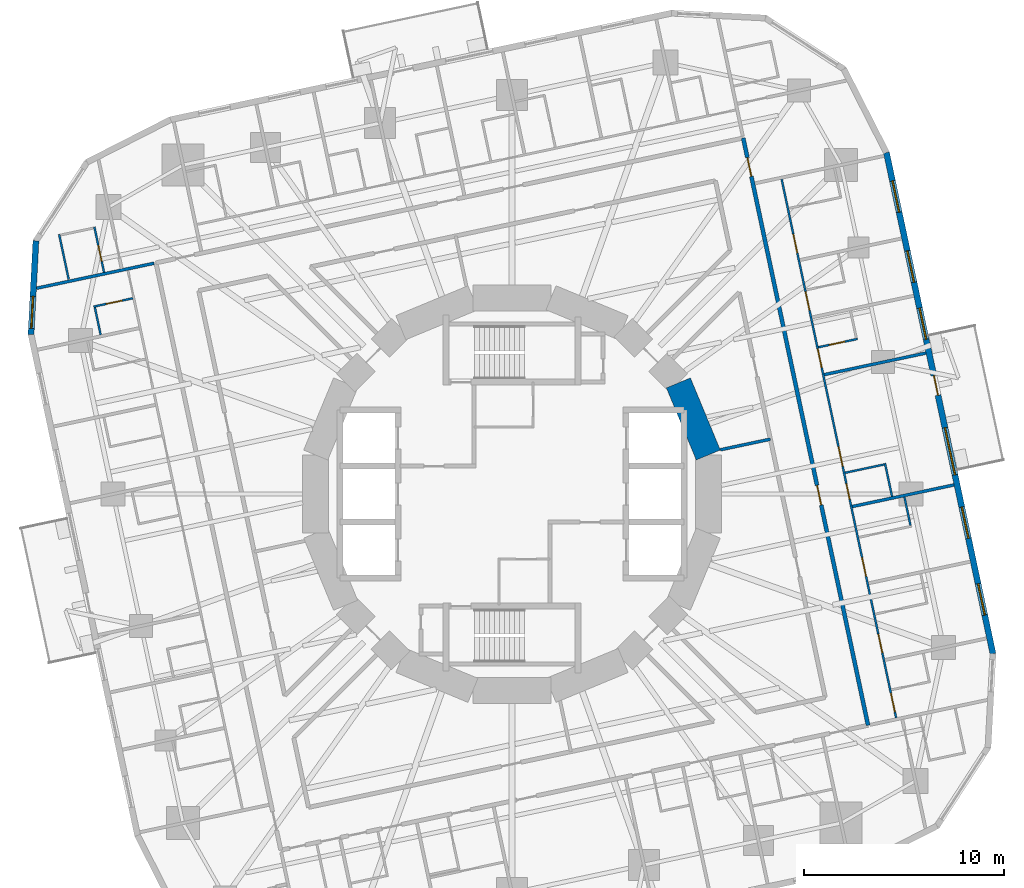
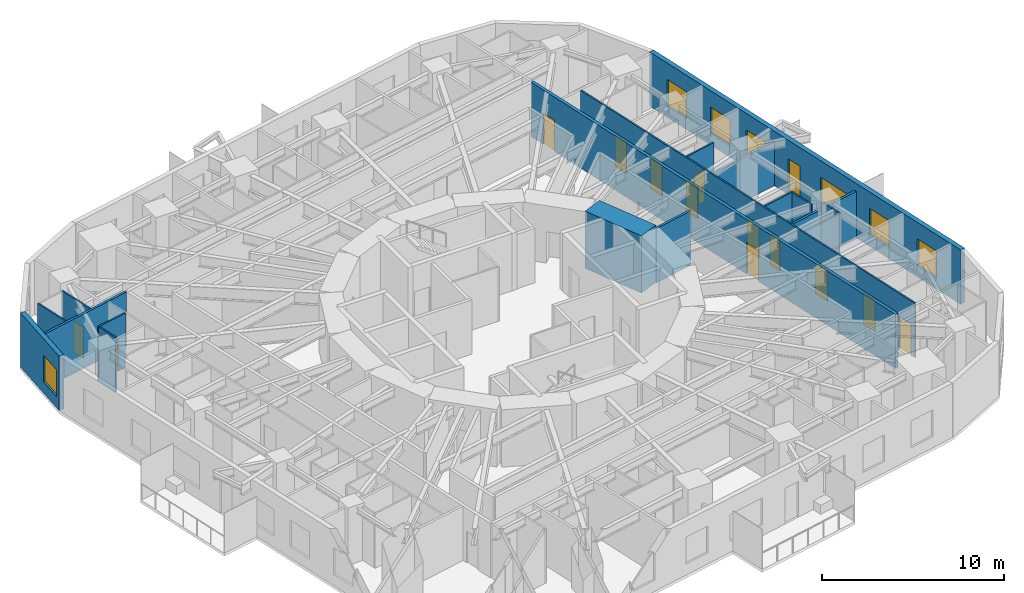
# One storey, part 9 of 14: 17 walls, 14 doors, 7 windows, 21 openings.
"""IFC4 building model written with IfcOpenShell, lengths in metres."""

from ifc_helpers import new_model, si_unit, direction, frame, frame_2d, origin, place, context, subcontext, project, spatial, rectangle, extrude, material, layer, layer_set, type_object, element, fill, save


model = new_model("IFC4")

# Units and contexts
model_context = context("Model", 3, precision=1e-05, world=origin(), true_north=direction((0.0, 1.0)))
body_context = subcontext(model_context, "Body", "Model", "MODEL_VIEW")
ifc_project = project(units=[si_unit("LENGTHUNIT", "METRE"), si_unit("AREAUNIT", "SQUARE_METRE"), si_unit("VOLUMEUNIT", "CUBIC_METRE"), si_unit("PLANEANGLEUNIT", "RADIAN"), si_unit("MASSUNIT", "GRAM", prefix="KILO")], contexts=[model_context])

# Site, building, storey
site_placement = place(None, origin())
site = spatial("IfcSite", under=ifc_project, at=site_placement, CompositionType="ELEMENT")
building_placement = place(site_placement, origin())
building = spatial("IfcBuilding", under=site, at=building_placement, Name="Nakasero Lantern House", CompositionType="ELEMENT")
storey_placement = place(building_placement, frame((0.0, 0.0, 108.85009765625)))
storey = spatial("IfcBuildingStorey", under=building, at=storey_placement, Name="L26", CompositionType="ELEMENT", Elevation=108.85009765625)

# Wall, openings, doors
ifc_material_1 = material(Name="Blockwork", Category="masonry")
ifc_layer_1 = layer(ifc_material_1, 0.10009765625)
ifc_layer_set_1 = layer_set([ifc_layer_1], Name="Cluster hall wall 100")
wall_type_1 = type_object("IfcWallType", Name="Cluster hall wall 100", PredefinedType="PARTITIONING", material=ifc_layer_set_1)
wall_1_placement = place(storey_placement, frame((19.193603515625, -11.1787109375, 0.0), z_axis=(0.0, 0.0, 1.0), x_axis=(-0.207915639441, 0.97814676142, 0.0)))
wall_1 = element("IfcWall", 1, at=wall_1_placement, inside=storey, type_object=wall_type_1, Name="Cluster hall wall L26 HW0-0", PredefinedType="PARTITIONING", context=body_context, shape_type="SweptSolid", body=[
    extrude(rectangle(XDim=27.513427734375, YDim=0.10009765625, at=frame_2d((13.7568359375, 0.0))), origin(), (0.0, 0.0, 1.0), 3.64990234375),
])
opening_1_placement = place(wall_1_placement, frame((12.848876953125, 0.0, 0.0)))
opening_1 = element("IfcOpeningElement", 2, at=opening_1_placement, cuts=wall_1, Name="Opening D03", PredefinedType="OPENING", context=body_context, shape_type="SweptSolid", body=[
    extrude(rectangle(XDim=1.0, YDim=2.10009765625, at=frame_2d((0.5, 1.050048828125))), frame((0.0, 0.070068359375, 0.0), z_axis=(0.0, -1.0, 0.0), x_axis=(1.0, 0.0, 0.0)), (0.0, 0.0, 1.0), 0.14013671875),
])
opening_2_placement = place(wall_1_placement, frame((11.155029296875, 0.0, 0.0)))
opening_2 = element("IfcOpeningElement", 3, at=opening_2_placement, cuts=wall_1, Name="Opening D02", PredefinedType="OPENING", context=body_context, shape_type="SweptSolid", body=[
    extrude(rectangle(XDim=0.800048828125, YDim=2.10009765625, at=frame_2d((0.39990234375, 1.050048828125))), frame((0.0, 0.070068359375, 0.0), z_axis=(0.0, -1.0, 0.0), x_axis=(1.0, 0.0, 0.0)), (0.0, 0.0, 1.0), 0.14013671875),
])
opening_3_placement = place(wall_1_placement, frame((0.300048828125, 0.0, 0.0)))
opening_3 = element("IfcOpeningElement", 4, at=opening_3_placement, cuts=wall_1, Name="Opening D01", PredefinedType="OPENING", context=body_context, shape_type="SweptSolid", body=[
    extrude(rectangle(XDim=0.949951171875, YDim=2.10009765625, at=frame_2d((0.47509765625, 1.050048828125))), frame((0.0, 0.070068359375, 0.0), z_axis=(0.0, -1.0, 0.0), x_axis=(1.0, 0.0, 0.0)), (0.0, 0.0, 1.0), 0.14013671875),
])
opening_4_placement = place(wall_1_placement, frame((3.316162109375, 0.0, 0.0)))
opening_4 = element("IfcOpeningElement", 5, at=opening_4_placement, cuts=wall_1, Name="Opening D01", PredefinedType="OPENING", context=body_context, shape_type="SweptSolid", body=[
    extrude(rectangle(XDim=0.949951171875, YDim=2.10009765625, at=frame_2d((0.47509765625, 1.050048828125))), frame((0.0, 0.070068359375, 0.0), z_axis=(0.0, -1.0, 0.0), x_axis=(1.0, 0.0, 0.0)), (0.0, 0.0, 1.0), 0.14013671875),
])
opening_5_placement = place(wall_1_placement, frame((7.235595703125, 0.0, 0.0)))
opening_5 = element("IfcOpeningElement", 6, at=opening_5_placement, cuts=wall_1, Name="Opening D01", PredefinedType="OPENING", context=body_context, shape_type="SweptSolid", body=[
    extrude(rectangle(XDim=0.949951171875, YDim=2.10009765625, at=frame_2d((0.47509765625, 1.050048828125))), frame((0.0, 0.070068359375, 0.0), z_axis=(0.0, -1.0, 0.0), x_axis=(1.0, 0.0, 0.0)), (0.0, 0.0, 1.0), 0.14013671875),
])
opening_6_placement = place(wall_1_placement, frame((17.892578125, 0.0, 0.0)))
opening_6 = element("IfcOpeningElement", 7, at=opening_6_placement, cuts=wall_1, Name="Opening D01", PredefinedType="OPENING", context=body_context, shape_type="SweptSolid", body=[
    extrude(rectangle(XDim=0.949951171875, YDim=2.10009765625, at=frame_2d((0.47509765625, 1.050048828125))), frame((0.0, 0.070068359375, 0.0), z_axis=(0.0, -1.0, 0.0), x_axis=(1.0, 0.0, 0.0)), (0.0, 0.0, 1.0), 0.14013671875),
])
opening_7_placement = place(wall_1_placement, frame((20.81884765625, 0.0, 0.0)))
opening_7 = element("IfcOpeningElement", 8, at=opening_7_placement, cuts=wall_1, Name="Opening D01", PredefinedType="OPENING", context=body_context, shape_type="SweptSolid", body=[
    extrude(rectangle(XDim=0.949951171875, YDim=2.10009765625, at=frame_2d((0.47509765625, 1.050048828125))), frame((0.0, 0.070068359375, 0.0), z_axis=(0.0, -1.0, 0.0), x_axis=(1.0, 0.0, 0.0)), (0.0, 0.0, 1.0), 0.14013671875),
])
opening_8_placement = place(wall_1_placement, frame((23.745361328125, 0.0, 0.0)))
opening_8 = element("IfcOpeningElement", 9, at=opening_8_placement, cuts=wall_1, Name="Opening D01", PredefinedType="OPENING", context=body_context, shape_type="SweptSolid", body=[
    extrude(rectangle(XDim=0.949951171875, YDim=2.10009765625, at=frame_2d((0.47509765625, 1.050048828125))), frame((0.0, 0.070068359375, 0.0), z_axis=(0.0, -1.0, 0.0), x_axis=(1.0, 0.0, 0.0)), (0.0, 0.0, 1.0), 0.14013671875),
])
ifc_material_2 = material(Name="Timber C24", Category="wood")
door_type_1 = type_object("IfcDoorType", Name="Bedroom door FD30S 950", OperationType="SINGLE_SWING_LEFT", PredefinedType="DOOR", material=ifc_material_2)
door_1_placement = place(opening_3_placement, origin())
door_1 = element("IfcDoor", 10, at=door_1_placement, inside=storey, type_object=door_type_1, Name="Door L26 D0-00", OperationType="SINGLE_SWING_LEFT", OverallHeight=2.10009765625, OverallWidth=0.949951171875, PredefinedType="DOOR", context=body_context, shape_type="SweptSolid", body=[
    extrude(rectangle(XDim=0.949951171875, YDim=2.10009765625, at=frame_2d((0.47509765625, 1.050048828125))), frame((0.0, 0.02490234375, 0.0), z_axis=(0.0, -1.0, 0.0), x_axis=(1.0, 0.0, 0.0)), (0.0, 0.0, 1.0), 0.050048828125),
])
fill(opening_3, door_1)
door_2_placement = place(opening_4_placement, origin())
door_2 = element("IfcDoor", 11, at=door_2_placement, inside=storey, type_object=door_type_1, Name="Door L26 D0-01", OperationType="SINGLE_SWING_LEFT", OverallHeight=2.10009765625, OverallWidth=0.949951171875, PredefinedType="DOOR", context=body_context, shape_type="SweptSolid", body=[
    extrude(rectangle(XDim=0.949951171875, YDim=2.10009765625, at=frame_2d((0.47509765625, 1.050048828125))), frame((0.0, 0.02490234375, 0.0), z_axis=(0.0, -1.0, 0.0), x_axis=(1.0, 0.0, 0.0)), (0.0, 0.0, 1.0), 0.050048828125),
])
fill(opening_4, door_2)
door_3_placement = place(opening_5_placement, origin())
door_3 = element("IfcDoor", 12, at=door_3_placement, inside=storey, type_object=door_type_1, Name="Door L26 D0-02", OperationType="SINGLE_SWING_LEFT", OverallHeight=2.10009765625, OverallWidth=0.949951171875, PredefinedType="DOOR", context=body_context, shape_type="SweptSolid", body=[
    extrude(rectangle(XDim=0.949951171875, YDim=2.10009765625, at=frame_2d((0.47509765625, 1.050048828125))), frame((0.0, 0.02490234375, 0.0), z_axis=(0.0, -1.0, 0.0), x_axis=(1.0, 0.0, 0.0)), (0.0, 0.0, 1.0), 0.050048828125),
])
fill(opening_5, door_3)
door_4_placement = place(opening_6_placement, origin())
door_4 = element("IfcDoor", 13, at=door_4_placement, inside=storey, type_object=door_type_1, Name="Door L26 D0-05", OperationType="SINGLE_SWING_RIGHT", OverallHeight=2.10009765625, OverallWidth=0.949951171875, PredefinedType="DOOR", context=body_context, shape_type="SweptSolid", body=[
    extrude(rectangle(XDim=0.949951171875, YDim=2.10009765625, at=frame_2d((0.47509765625, 1.050048828125))), frame((0.0, 0.02490234375, 0.0), z_axis=(0.0, -1.0, 0.0), x_axis=(1.0, 0.0, 0.0)), (0.0, 0.0, 1.0), 0.050048828125),
])
fill(opening_6, door_4)
door_5_placement = place(opening_7_placement, origin())
door_5 = element("IfcDoor", 14, at=door_5_placement, inside=storey, type_object=door_type_1, Name="Door L26 D0-06", OperationType="SINGLE_SWING_RIGHT", OverallHeight=2.10009765625, OverallWidth=0.949951171875, PredefinedType="DOOR", context=body_context, shape_type="SweptSolid", body=[
    extrude(rectangle(XDim=0.949951171875, YDim=2.10009765625, at=frame_2d((0.47509765625, 1.050048828125))), frame((0.0, 0.02490234375, 0.0), z_axis=(0.0, -1.0, 0.0), x_axis=(1.0, 0.0, 0.0)), (0.0, 0.0, 1.0), 0.050048828125),
])
fill(opening_7, door_5)
door_6_placement = place(opening_8_placement, origin())
door_6 = element("IfcDoor", 15, at=door_6_placement, inside=storey, type_object=door_type_1, Name="Door L26 D0-07", OperationType="SINGLE_SWING_RIGHT", OverallHeight=2.10009765625, OverallWidth=0.949951171875, PredefinedType="DOOR", context=body_context, shape_type="SweptSolid", body=[
    extrude(rectangle(XDim=0.949951171875, YDim=2.10009765625, at=frame_2d((0.47509765625, 1.050048828125))), frame((0.0, 0.02490234375, 0.0), z_axis=(0.0, -1.0, 0.0), x_axis=(1.0, 0.0, 0.0)), (0.0, 0.0, 1.0), 0.050048828125),
])
fill(opening_8, door_6)
ifc_material_3 = material(Name="Timber C24", Category="wood")
door_type_2 = type_object("IfcDoorType", Name="En-suite door 800", OperationType="SINGLE_SWING_RIGHT", PredefinedType="DOOR", material=ifc_material_3)
door_7_placement = place(opening_2_placement, origin())
door_7 = element("IfcDoor", 16, at=door_7_placement, inside=storey, type_object=door_type_2, Name="Door L26 DSH0-0", OperationType="SINGLE_SWING_LEFT", OverallHeight=2.10009765625, OverallWidth=0.800048828125, PredefinedType="DOOR", context=body_context, shape_type="SweptSolid", body=[
    extrude(rectangle(XDim=0.800048828125, YDim=2.10009765625, at=frame_2d((0.39990234375, 1.050048828125))), frame((0.0, 0.02490234375, 0.0), z_axis=(0.0, -1.0, 0.0), x_axis=(1.0, 0.0, 0.0)), (0.0, 0.0, 1.0), 0.050048828125),
])
fill(opening_2, door_7)
ifc_material_4 = material(Name="Timber C24", Category="wood")
door_type_3 = type_object("IfcDoorType", Name="Lounge door FD30S 1000", OperationType="SINGLE_SWING_LEFT", PredefinedType="DOOR", material=ifc_material_4)
door_8_placement = place(opening_1_placement, origin())
door_8 = element("IfcDoor", 17, at=door_8_placement, inside=storey, type_object=door_type_3, Name="Door L26 DH0-0", OperationType="SINGLE_SWING_LEFT", OverallHeight=2.10009765625, OverallWidth=1.0, PredefinedType="DOOR", context=body_context, shape_type="SweptSolid", body=[
    extrude(rectangle(XDim=1.0, YDim=2.10009765625, at=frame_2d((0.5, 1.050048828125))), frame((0.0, 0.02490234375, 0.0), z_axis=(0.0, -1.0, 0.0), x_axis=(1.0, 0.0, 0.0)), (0.0, 0.0, 1.0), 0.050048828125),
])
fill(opening_1, door_8)

# Wall
ifc_material_5 = material(Name="Concrete C50/60", Category="concrete")
ifc_layer_2 = layer(ifc_material_5, 1.300048828125)
ifc_layer_set_2 = layer_set([ifc_layer_2], Name="Core wall 1300")
wall_type_2 = type_object("IfcWallType", Name="Core wall 1300", PredefinedType="SHEAR", material=ifc_layer_set_2)
wall_2_placement = place(storey_placement, frame((9.807861328125, 1.950927734375, 0.0), z_axis=(0.0, 0.0, 1.0), x_axis=(-0.382690736062, 0.923876507187, 0.0)))
element("IfcWall", 18, at=wall_2_placement, inside=storey, type_object=wall_type_2, Name="Core wall L26 facet 1", PredefinedType="SHEAR", context=body_context, shape_type="SweptSolid", body=[
    extrude(rectangle(XDim=3.90185546875, YDim=1.300048828125, at=frame_2d((1.950927734375, 0.0))), origin(), (0.0, 0.0, 1.0), 3.849853515625),
])

# Wall, openings, doors
ifc_material_6 = material(Name="Blockwork", Category="masonry")
ifc_layer_3 = layer(ifc_material_6, 0.199951171875)
ifc_layer_set_3 = layer_set([ifc_layer_3], Name="Corridor wall 200")
wall_type_3 = type_object("IfcWallType", Name="Corridor wall 200", PredefinedType="PARTITIONING", material=ifc_layer_set_3)
wall_3_placement = place(storey_placement, frame((17.790771484375, -11.553466796875, 0.0), z_axis=(0.0, 0.0, 1.0), x_axis=(-0.207911508826, 0.978147639417, 0.0)))
wall_3 = element("IfcWall", 19, at=wall_3_placement, inside=storey, type_object=wall_type_3, Name="Corridor wall L26 CW0", PredefinedType="PARTITIONING", context=body_context, shape_type="SweptSolid", body=[
    extrude(rectangle(XDim=29.999755859375, YDim=0.199951171875, at=frame_2d((15.0, 0.0))), origin(), (0.0, 0.0, 1.0), 3.64990234375),
])
opening_9_placement = place(wall_3_placement, frame((11.255126953125, 0.0, 0.0)))
opening_9 = element("IfcOpeningElement", 20, at=opening_9_placement, cuts=wall_3, Name="Opening D14", PredefinedType="OPENING", context=body_context, shape_type="SweptSolid", body=[
    extrude(rectangle(XDim=1.0, YDim=2.10009765625, at=frame_2d((0.5, 1.050048828125))), frame((0.0, 0.119873046875, 0.0), z_axis=(0.0, -1.0, 0.0), x_axis=(1.0, 0.0, 0.0)), (0.0, 0.0, 1.0), 0.239990234375),
])
opening_10_placement = place(wall_3_placement, frame((28.038330078125, 0.0, 0.0)))
opening_10 = element("IfcOpeningElement", 21, at=opening_10_placement, cuts=wall_3, Name="Opening D01", PredefinedType="OPENING", context=body_context, shape_type="SweptSolid", body=[
    extrude(rectangle(XDim=0.949951171875, YDim=2.10009765625, at=frame_2d((0.47509765625, 1.050048828125))), frame((0.0, 0.119873046875, 0.0), z_axis=(0.0, -1.0, 0.0), x_axis=(1.0, 0.0, 0.0)), (0.0, 0.0, 1.0), 0.239990234375),
])
door_9_placement = place(opening_10_placement, origin())
door_9 = element("IfcDoor", 22, at=door_9_placement, inside=storey, type_object=door_type_1, Name="Door L26 D0-08", OperationType="SINGLE_SWING_RIGHT", OverallHeight=2.10009765625, OverallWidth=0.949951171875, PredefinedType="DOOR", context=body_context, shape_type="SweptSolid", body=[
    extrude(rectangle(XDim=0.949951171875, YDim=2.10009765625, at=frame_2d((0.47509765625, 1.050048828125))), frame((0.0, 0.02490234375, 0.0), z_axis=(0.0, -1.0, 0.0), x_axis=(1.0, 0.0, 0.0)), (0.0, 0.0, 1.0), 0.050048828125),
])
fill(opening_10, door_9)
ifc_material_7 = material(Name="Timber C24", Category="wood")
door_type_4 = type_object("IfcDoorType", Name="Cluster entrance door FD30S 1000", OperationType="SINGLE_SWING_LEFT", PredefinedType="DOOR", material=ifc_material_7)
door_10_placement = place(opening_9_placement, origin())
door_10 = element("IfcDoor", 23, at=door_10_placement, inside=storey, type_object=door_type_4, Name="Door L26 DF0-0", OperationType="SINGLE_SWING_LEFT", OverallHeight=2.10009765625, OverallWidth=1.0, PredefinedType="DOOR", context=body_context, shape_type="SweptSolid", body=[
    extrude(rectangle(XDim=1.0, YDim=2.10009765625, at=frame_2d((0.5, 1.050048828125))), frame((0.0, 0.02490234375, 0.0), z_axis=(0.0, -1.0, 0.0), x_axis=(1.0, 0.0, 0.0)), (0.0, 0.0, 1.0), 0.050048828125),
])
fill(opening_9, door_10)

# Walls
ifc_material_8 = material(Name="Blockwork", Category="masonry")
ifc_layer_4 = layer(ifc_material_8, 0.10009765625)
ifc_layer_set_4 = layer_set([ifc_layer_4], Name="En-suite wall 100")
wall_type_4 = type_object("IfcWallType", Name="En-suite wall 100", PredefinedType="PARTITIONING", material=ifc_layer_set_4)
wall_4_placement = place(storey_placement, frame((16.642578125, 1.0634765625, 0.0), z_axis=(0.0, 0.0, 1.0), x_axis=(0.978134617382, 0.207972763311, 0.0)))
element("IfcWall", 24, at=wall_4_placement, inside=storey, type_object=wall_type_4, Name="En-suite wall L26 SS0-0", PredefinedType="PARTITIONING", context=body_context, shape_type="SweptSolid", body=[
    extrude(rectangle(XDim=2.10009765625, YDim=0.10009765625, at=frame_2d((1.050048828125, 0.0))), origin(), (0.0, 0.0, 1.0), 3.64990234375),
])
wall_5_placement = place(storey_placement, frame((18.99072265625, -0.124267578125, 0.0), z_axis=(0.0, 0.0, 1.0), x_axis=(-0.207812379357, 0.978168704767, 0.0)))
element("IfcWall", 25, at=wall_5_placement, inside=storey, type_object=wall_type_4, Name="En-suite wall L26 SE0-0", PredefinedType="PARTITIONING", context=body_context, shape_type="SweptSolid", body=[
    extrude(rectangle(XDim=1.699951171875, YDim=0.10009765625, at=frame_2d((0.85009765625, 0.0))), origin(), (0.0, 0.0, 1.0), 3.64990234375),
])
wall_6_placement = place(storey_placement, frame((19.910400390625, -1.564453125, 0.0), z_axis=(0.0, 0.0, 1.0), x_axis=(-0.207953405961, 0.978138732977, 0.0)))
element("IfcWall", 26, at=wall_6_placement, inside=storey, type_object=wall_type_4, Name="En-suite wall L26 EE0-02", PredefinedType="PARTITIONING", context=body_context, shape_type="SweptSolid", body=[
    extrude(rectangle(XDim=1.449951171875, YDim=0.10009765625, at=frame_2d((0.72509765625, 0.0))), origin(), (0.0, 0.0, 1.0), 3.64990234375),
])

# Wall, opening, door
wall_7_placement = place(storey_placement, frame((15.30908203125, 7.337158203125, 0.0), z_axis=(0.0, 0.0, 1.0), x_axis=(0.978152955943, 0.207886494942, 0.0)))
wall_7 = element("IfcWall", 27, at=wall_7_placement, inside=storey, type_object=wall_type_4, Name="En-suite wall L26 ES0-05", PredefinedType="PARTITIONING", context=body_context, shape_type="SweptSolid", body=[
    extrude(rectangle(XDim=2.0, YDim=0.10009765625, at=frame_2d((1.0, 0.0))), origin(), (0.0, 0.0, 1.0), 3.64990234375),
])
opening_11_placement = place(wall_7_placement, frame((0.550048828125, 0.0, 0.0)))
opening_11 = element("IfcOpeningElement", 28, at=opening_11_placement, cuts=wall_7, Name="Opening D02", PredefinedType="OPENING", context=body_context, shape_type="SweptSolid", body=[
    extrude(rectangle(XDim=0.800048828125, YDim=2.10009765625, at=frame_2d((0.39990234375, 1.050048828125))), frame((0.0, 0.070068359375, 0.0), z_axis=(0.0, -1.0, 0.0), x_axis=(1.0, 0.0, 0.0)), (0.0, 0.0, 1.0), 0.14013671875),
])
door_11_placement = place(opening_11_placement, origin())
door_11 = element("IfcDoor", 29, at=door_11_placement, inside=storey, type_object=door_type_2, Name="Door L26 DE0-05", OperationType="SINGLE_SWING_LEFT", OverallHeight=2.10009765625, OverallWidth=0.800048828125, PredefinedType="DOOR", context=body_context, shape_type="SweptSolid", body=[
    extrude(rectangle(XDim=0.800048828125, YDim=2.10009765625, at=frame_2d((0.39990234375, 1.050048828125))), frame((0.0, 0.02490234375, 0.0), z_axis=(0.0, -1.0, 0.0), x_axis=(1.0, 0.0, 0.0)), (0.0, 0.0, 1.0), 0.050048828125),
])
fill(opening_11, door_11)

wall_8_placement = place(storey_placement, frame((-20.382568359375, 11.069091796875, 0.0), z_axis=(0.0, 0.0, 1.0), x_axis=(-0.207965047255, 0.978136257952, 0.0)))
wall_8 = element("IfcWall", 30, at=wall_8_placement, inside=storey, type_object=wall_type_4, Name="En-suite wall L26 ES1-08", PredefinedType="PARTITIONING", context=body_context, shape_type="SweptSolid", body=[
    extrude(rectangle(XDim=2.3349609375, YDim=0.10009765625, at=frame_2d((1.16748046875, 0.0))), origin(), (0.0, 0.0, 1.0), 3.64990234375),
])
opening_12_placement = place(wall_8_placement, frame((0.5849609375, 0.0, 0.0)))
opening_12 = element("IfcOpeningElement", 31, at=opening_12_placement, cuts=wall_8, Name="Opening D02", PredefinedType="OPENING", context=body_context, shape_type="SweptSolid", body=[
    extrude(rectangle(XDim=0.800048828125, YDim=2.10009765625, at=frame_2d((0.39990234375, 1.050048828125))), frame((0.0, 0.070068359375, 0.0), z_axis=(0.0, -1.0, 0.0), x_axis=(1.0, 0.0, 0.0)), (0.0, 0.0, 1.0), 0.14013671875),
])
door_12_placement = place(opening_12_placement, origin())
door_12 = element("IfcDoor", 32, at=door_12_placement, inside=storey, type_object=door_type_2, Name="Door L26 DE1-08", OperationType="SINGLE_SWING_LEFT", OverallHeight=2.10009765625, OverallWidth=0.800048828125, PredefinedType="DOOR", context=body_context, shape_type="SweptSolid", body=[
    extrude(rectangle(XDim=0.800048828125, YDim=2.10009765625, at=frame_2d((0.39990234375, 1.050048828125))), frame((0.0, 0.02490234375, 0.0), z_axis=(0.0, -1.0, 0.0), x_axis=(1.0, 0.0, 0.0)), (0.0, 0.0, 1.0), 0.050048828125),
])
fill(opening_12, door_12)

# Wall
wall_9_placement = place(storey_placement, frame((-22.150634765625, 10.72900390625, 0.0), z_axis=(0.0, 0.0, 1.0), x_axis=(-0.207839712757, 0.978162897375, 0.0)))
element("IfcWall", 33, at=wall_9_placement, inside=storey, type_object=wall_type_4, Name="En-suite wall L26 EV1-08", PredefinedType="PARTITIONING", context=body_context, shape_type="SweptSolid", body=[
    extrude(rectangle(XDim=2.300048828125, YDim=0.10009765625, at=frame_2d((1.14990234375, 0.0))), origin(), (0.0, 0.0, 1.0), 3.64990234375),
])

# Wall, opening, door
wall_10_placement = place(storey_placement, frame((-18.947998046875, 9.783203125, 0.0), z_axis=(0.0, 0.0, 1.0), x_axis=(-0.978128127149, -0.208003285743, 0.0)))
wall_10 = element("IfcWall", 34, at=wall_10_placement, inside=storey, type_object=wall_type_4, Name="En-suite wall L26 ES2-00", PredefinedType="PARTITIONING", context=body_context, shape_type="SweptSolid", body=[
    extrude(rectangle(XDim=2.0, YDim=0.10009765625, at=frame_2d((1.0, 0.0))), origin(), (0.0, 0.0, 1.0), 3.64990234375),
])
opening_13_placement = place(wall_10_placement, frame((0.550048828125, 0.0, 0.0)))
opening_13 = element("IfcOpeningElement", 35, at=opening_13_placement, cuts=wall_10, Name="Opening D02", PredefinedType="OPENING", context=body_context, shape_type="SweptSolid", body=[
    extrude(rectangle(XDim=0.800048828125, YDim=2.10009765625, at=frame_2d((0.39990234375, 1.050048828125))), frame((0.0, 0.070068359375, 0.0), z_axis=(0.0, -1.0, 0.0), x_axis=(1.0, 0.0, 0.0)), (0.0, 0.0, 1.0), 0.14013671875),
])
door_13_placement = place(opening_13_placement, origin())
door_13 = element("IfcDoor", 36, at=door_13_placement, inside=storey, type_object=door_type_2, Name="Door L26 DE2-00", OperationType="SINGLE_SWING_LEFT", OverallHeight=2.10009765625, OverallWidth=0.800048828125, PredefinedType="DOOR", context=body_context, shape_type="SweptSolid", body=[
    extrude(rectangle(XDim=0.800048828125, YDim=2.10009765625, at=frame_2d((0.39990234375, 1.050048828125))), frame((0.0, 0.02490234375, 0.0), z_axis=(0.0, -1.0, 0.0), x_axis=(1.0, 0.0, 0.0)), (0.0, 0.0, 1.0), 0.050048828125),
])
fill(opening_13, door_13)

# Wall
wall_11_placement = place(storey_placement, frame((-20.844970703125, 9.328857421875, 0.0), z_axis=(0.0, 0.0, 1.0), x_axis=(0.207873355681, -0.978155748334, 0.0)))
element("IfcWall", 37, at=wall_11_placement, inside=storey, type_object=wall_type_4, Name="En-suite wall L26 EE2-00", PredefinedType="PARTITIONING", context=body_context, shape_type="SweptSolid", body=[
    extrude(rectangle(XDim=1.39990234375, YDim=0.10009765625, at=frame_2d((0.699951171875, 0.0))), origin(), (0.0, 0.0, 1.0), 3.64990234375),
])

# Wall, openings, door, windows
ifc_material_9 = material(Name="Aluminium rainscreen on blockwork", Category="masonry")
ifc_layer_5 = layer(ifc_material_9, 0.300048828125)
ifc_layer_set_5 = layer_set([ifc_layer_5], Name="Facade wall 300")
wall_type_5 = type_object("IfcWallType", Name="Facade wall 300", PredefinedType="SOLIDWALL", material=ifc_layer_set_5)
wall_12_placement = place(storey_placement, frame((24.03369140625, -7.9775390625, 0.0), z_axis=(0.0, 0.0, 1.0), x_axis=(-0.207909055127, 0.978148160964, 0.0)))
wall_12 = element("IfcWall", 38, at=wall_12_placement, inside=storey, type_object=wall_type_5, Name="Facade wall L26 FW0S", PredefinedType="SOLIDWALL", context=body_context, shape_type="SweptSolid", body=[
    extrude(rectangle(XDim=25.60009765625, YDim=0.300048828125, at=frame_2d((12.800048828125, 0.0))), origin(), (0.0, 0.0, 1.0), 3.64990234375),
])
opening_14_placement = place(wall_12_placement, frame((1.975830078125, 0.0, 0.75)))
opening_14 = element("IfcOpeningElement", 39, at=opening_14_placement, cuts=wall_12, Name="Opening W01", PredefinedType="OPENING", context=body_context, shape_type="SweptSolid", body=[
    extrude(rectangle(XDim=1.60009765625, YDim=1.800048828125, at=frame_2d((0.800048828125, 0.89990234375))), frame((0.0, 0.169921875, 0.0), z_axis=(0.0, -1.0, 0.0), x_axis=(1.0, 0.0, 0.0)), (0.0, 0.0, 1.0), 0.340087890625),
])
opening_15_placement = place(wall_12_placement, frame((5.8955078125, 0.0, 0.75)))
opening_15 = element("IfcOpeningElement", 40, at=opening_15_placement, cuts=wall_12, Name="Opening W01", PredefinedType="OPENING", context=body_context, shape_type="SweptSolid", body=[
    extrude(rectangle(XDim=1.60009765625, YDim=1.800048828125, at=frame_2d((0.800048828125, 0.89990234375))), frame((0.0, 0.169921875, 0.0), z_axis=(0.0, -1.0, 0.0), x_axis=(1.0, 0.0, 0.0)), (0.0, 0.0, 1.0), 0.340087890625),
])
opening_16_placement = place(wall_12_placement, frame((16.0556640625, 0.0, 0.75)))
opening_16 = element("IfcOpeningElement", 41, at=opening_16_placement, cuts=wall_12, Name="Opening W01", PredefinedType="OPENING", context=body_context, shape_type="SweptSolid", body=[
    extrude(rectangle(XDim=1.60009765625, YDim=1.800048828125, at=frame_2d((0.800048828125, 0.89990234375))), frame((0.0, 0.169921875, 0.0), z_axis=(0.0, -1.0, 0.0), x_axis=(1.0, 0.0, 0.0)), (0.0, 0.0, 1.0), 0.340087890625),
])
opening_17_placement = place(wall_12_placement, frame((18.982177734375, 0.0, 0.75)))
opening_17 = element("IfcOpeningElement", 42, at=opening_17_placement, cuts=wall_12, Name="Opening W01", PredefinedType="OPENING", context=body_context, shape_type="SweptSolid", body=[
    extrude(rectangle(XDim=1.60009765625, YDim=1.800048828125, at=frame_2d((0.800048828125, 0.89990234375))), frame((0.0, 0.169921875, 0.0), z_axis=(0.0, -1.0, 0.0), x_axis=(1.0, 0.0, 0.0)), (0.0, 0.0, 1.0), 0.340087890625),
])
opening_18_placement = place(wall_12_placement, frame((22.554443359375, 0.0, 0.75)))
opening_18 = element("IfcOpeningElement", 43, at=opening_18_placement, cuts=wall_12, Name="Opening W01", PredefinedType="OPENING", context=body_context, shape_type="SweptSolid", body=[
    extrude(rectangle(XDim=1.60009765625, YDim=1.800048828125, at=frame_2d((0.800048828125, 0.89990234375))), frame((0.0, 0.169921875, 0.0), z_axis=(0.0, -1.0, 0.0), x_axis=(1.0, 0.0, 0.0)), (0.0, 0.0, 1.0), 0.340087890625),
])
opening_19_placement = place(wall_12_placement, frame((9.139404296875, 0.0, 0.75)))
opening_19 = element("IfcOpeningElement", 44, at=opening_19_placement, cuts=wall_12, Name="Opening W03", PredefinedType="OPENING", context=body_context, shape_type="SweptSolid", body=[
    extrude(rectangle(XDim=2.39990234375, YDim=1.800048828125, at=frame_2d((1.199951171875, 0.89990234375))), frame((0.0, 0.169921875, 0.0), z_axis=(0.0, -1.0, 0.0), x_axis=(1.0, 0.0, 0.0)), (0.0, 0.0, 1.0), 0.340087890625),
])
opening_20_placement = place(wall_12_placement, frame((13.208251953125, 0.0, 0.0)))
opening_20 = element("IfcOpeningElement", 45, at=opening_20_placement, cuts=wall_12, Name="Opening D04", PredefinedType="OPENING", context=body_context, shape_type="SweptSolid", body=[
    extrude(rectangle(XDim=1.0, YDim=2.39990234375, at=frame_2d((0.5, 1.199951171875))), frame((0.0, 0.169921875, 0.0), z_axis=(0.0, -1.0, 0.0), x_axis=(1.0, 0.0, 0.0)), (0.0, 0.0, 1.0), 0.340087890625),
])
ifc_material_10 = material(Name="Aluminium 6063-T6 and glass", Category="aluminium")
door_type_5 = type_object("IfcDoorType", Name="Balcony door 1000x2400", OperationType="SINGLE_SWING_RIGHT", PredefinedType="DOOR", material=ifc_material_10)
door_14_placement = place(opening_20_placement, origin())
door_14 = element("IfcDoor", 46, at=door_14_placement, inside=storey, type_object=door_type_5, Name="Balcony door L26 DB0", OperationType="SINGLE_SWING_RIGHT", OverallHeight=2.39990234375, OverallWidth=1.0, PredefinedType="DOOR", context=body_context, shape_type="SweptSolid", body=[
    extrude(rectangle(XDim=1.0, YDim=2.39990234375, at=frame_2d((0.5, 1.199951171875))), frame((0.0, 0.02490234375, 0.0), z_axis=(0.0, -1.0, 0.0), x_axis=(1.0, 0.0, 0.0)), (0.0, 0.0, 1.0), 0.050048828125),
])
fill(opening_20, door_14)
ifc_material_11 = material(Name="Aluminium 6063-T6 and glass", Category="aluminium")
window_type_1 = type_object("IfcWindowType", Name="Bedroom window 1600x1800", PartitioningType="SINGLE_PANEL", PredefinedType="WINDOW", material=ifc_material_11)
window_1_placement = place(opening_14_placement, origin())
window_1 = element("IfcWindow", 47, at=window_1_placement, inside=storey, type_object=window_type_1, Name="Window L26 WN0-01", OverallHeight=1.800048828125, OverallWidth=1.60009765625, PartitioningType="SINGLE_PANEL", PredefinedType="WINDOW", context=body_context, shape_type="SweptSolid", body=[
    extrude(rectangle(XDim=1.60009765625, YDim=1.800048828125, at=frame_2d((0.800048828125, 0.89990234375))), frame((0.0, 0.030029296875, 0.0), z_axis=(0.0, -1.0, 0.0), x_axis=(1.0, 0.0, 0.0)), (0.0, 0.0, 1.0), 0.06005859375),
])
fill(opening_14, window_1)
window_2_placement = place(opening_15_placement, origin())
window_2 = element("IfcWindow", 48, at=window_2_placement, inside=storey, type_object=window_type_1, Name="Window L26 WN0-02", OverallHeight=1.800048828125, OverallWidth=1.60009765625, PartitioningType="SINGLE_PANEL", PredefinedType="WINDOW", context=body_context, shape_type="SweptSolid", body=[
    extrude(rectangle(XDim=1.60009765625, YDim=1.800048828125, at=frame_2d((0.800048828125, 0.89990234375))), frame((0.0, 0.030029296875, 0.0), z_axis=(0.0, -1.0, 0.0), x_axis=(1.0, 0.0, 0.0)), (0.0, 0.0, 1.0), 0.06005859375),
])
fill(opening_15, window_2)
window_3_placement = place(opening_16_placement, origin())
window_3 = element("IfcWindow", 49, at=window_3_placement, inside=storey, type_object=window_type_1, Name="Window L26 WN0-05", OverallHeight=1.800048828125, OverallWidth=1.60009765625, PartitioningType="SINGLE_PANEL", PredefinedType="WINDOW", context=body_context, shape_type="SweptSolid", body=[
    extrude(rectangle(XDim=1.60009765625, YDim=1.800048828125, at=frame_2d((0.800048828125, 0.89990234375))), frame((0.0, 0.030029296875, 0.0), z_axis=(0.0, -1.0, 0.0), x_axis=(1.0, 0.0, 0.0)), (0.0, 0.0, 1.0), 0.06005859375),
])
fill(opening_16, window_3)
window_4_placement = place(opening_17_placement, origin())
window_4 = element("IfcWindow", 50, at=window_4_placement, inside=storey, type_object=window_type_1, Name="Window L26 WN0-06", OverallHeight=1.800048828125, OverallWidth=1.60009765625, PartitioningType="SINGLE_PANEL", PredefinedType="WINDOW", context=body_context, shape_type="SweptSolid", body=[
    extrude(rectangle(XDim=1.60009765625, YDim=1.800048828125, at=frame_2d((0.800048828125, 0.89990234375))), frame((0.0, 0.030029296875, 0.0), z_axis=(0.0, -1.0, 0.0), x_axis=(1.0, 0.0, 0.0)), (0.0, 0.0, 1.0), 0.06005859375),
])
fill(opening_17, window_4)
window_5_placement = place(opening_18_placement, origin())
window_5 = element("IfcWindow", 51, at=window_5_placement, inside=storey, type_object=window_type_1, Name="Window L26 WN0-07", OverallHeight=1.800048828125, OverallWidth=1.60009765625, PartitioningType="SINGLE_PANEL", PredefinedType="WINDOW", context=body_context, shape_type="SweptSolid", body=[
    extrude(rectangle(XDim=1.60009765625, YDim=1.800048828125, at=frame_2d((0.800048828125, 0.89990234375))), frame((0.0, 0.030029296875, 0.0), z_axis=(0.0, -1.0, 0.0), x_axis=(1.0, 0.0, 0.0)), (0.0, 0.0, 1.0), 0.06005859375),
])
fill(opening_18, window_5)
ifc_material_12 = material(Name="Aluminium 6063-T6 and glass", Category="aluminium")
window_type_2 = type_object("IfcWindowType", Name="Lounge window 2400x1800", PartitioningType="SINGLE_PANEL", PredefinedType="WINDOW", material=ifc_material_12)
window_6_placement = place(opening_19_placement, origin())
window_6 = element("IfcWindow", 52, at=window_6_placement, inside=storey, type_object=window_type_2, Name="Window L26 WK0", OverallHeight=1.800048828125, OverallWidth=2.39990234375, PartitioningType="SINGLE_PANEL", PredefinedType="WINDOW", context=body_context, shape_type="SweptSolid", body=[
    extrude(rectangle(XDim=2.39990234375, YDim=1.800048828125, at=frame_2d((1.199951171875, 0.89990234375))), frame((0.0, 0.030029296875, 0.0), z_axis=(0.0, -1.0, 0.0), x_axis=(1.0, 0.0, 0.0)), (0.0, 0.0, 1.0), 0.06005859375),
])
fill(opening_19, window_6)

# Wall, opening, window
wall_13_placement = place(storey_placement, frame((-23.78857421875, 12.655517578125, 0.0), z_axis=(0.0, 0.0, 1.0), x_axis=(-0.052326317, -0.998630039879, 0.0)))
wall_13 = element("IfcWall", 53, at=wall_13_placement, inside=storey, type_object=wall_type_5, Name="Facade wall L26 FW1C3", PredefinedType="SOLIDWALL", context=body_context, shape_type="SweptSolid", body=[
    extrude(rectangle(XDim=4.684326171875, YDim=0.300048828125, at=frame_2d((2.34228515625, 0.0))), origin(), (0.0, 0.0, 1.0), 3.64990234375),
])
opening_21_placement = place(wall_13_placement, frame((2.784912109375, 0.0, 0.75)))
opening_21 = element("IfcOpeningElement", 54, at=opening_21_placement, cuts=wall_13, Name="Opening W01", PredefinedType="OPENING", context=body_context, shape_type="SweptSolid", body=[
    extrude(rectangle(XDim=1.60009765625, YDim=1.800048828125, at=frame_2d((0.800048828125, 0.89990234375))), frame((0.0, 0.169921875, 0.0), z_axis=(0.0, -1.0, 0.0), x_axis=(1.0, 0.0, 0.0)), (0.0, 0.0, 1.0), 0.340087890625),
])
window_7_placement = place(opening_21_placement, origin())
window_7 = element("IfcWindow", 55, at=window_7_placement, inside=storey, type_object=window_type_1, Name="Window L26 WN2-00", OverallHeight=1.800048828125, OverallWidth=1.60009765625, PartitioningType="SINGLE_PANEL", PredefinedType="WINDOW", context=body_context, shape_type="SweptSolid", body=[
    extrude(rectangle(XDim=1.60009765625, YDim=1.800048828125, at=frame_2d((0.800048828125, 0.89990234375))), frame((0.0, 0.030029296875, 0.0), z_axis=(0.0, -1.0, 0.0), x_axis=(1.0, 0.0, 0.0)), (0.0, 0.0, 1.0), 0.06005859375),
])
fill(opening_21, window_7)

# Walls
ifc_material_13 = material(Name="Blockwork", Category="masonry")
ifc_layer_6 = layer(ifc_material_13, 0.14990234375)
ifc_layer_set_6 = layer_set([ifc_layer_6], Name="Party wall 150")
wall_type_6 = type_object("IfcWallType", Name="Party wall 150", PredefinedType="PARTITIONING", material=ifc_layer_set_6)
wall_14_placement = place(storey_placement, frame((17.001220703125, -0.623779296875, 0.0), z_axis=(0.0, 0.0, 1.0), x_axis=(0.978141904084, 0.207938489641, 0.0)))
element("IfcWall", 56, at=wall_14_placement, inside=storey, type_object=wall_type_6, Name="Party wall L26 PW0-03", PredefinedType="PARTITIONING", context=body_context, shape_type="SweptSolid", body=[
    extrude(rectangle(XDim=5.2001953125, YDim=0.14990234375, at=frame_2d((2.60009765625, 0.0))), origin(), (0.0, 0.0, 1.0), 3.12158203125),
])
wall_15_placement = place(storey_placement, frame((15.600341796875, 5.966552734375, 0.0), z_axis=(0.0, 0.0, 1.0), x_axis=(0.978151452323, 0.207893569688, 0.0)))
element("IfcWall", 57, at=wall_15_placement, inside=storey, type_object=wall_type_6, Name="Party wall L26 PW0-05", PredefinedType="PARTITIONING", context=body_context, shape_type="SweptSolid", body=[
    extrude(rectangle(XDim=5.199951171875, YDim=0.14990234375, at=frame_2d((2.60009765625, 0.0))), origin(), (0.0, 0.0, 1.0), 2.95703125),
])
wall_16_placement = place(storey_placement, frame((-17.888671875, 11.53271484375, 0.0), z_axis=(0.0, 0.0, 1.0), x_axis=(-0.978152955943, -0.207886494942, 0.0)))
element("IfcWall", 58, at=wall_16_placement, inside=storey, type_object=wall_type_6, Name="Party wall L26 PW2-00", PredefinedType="PARTITIONING", context=body_context, shape_type="SweptSolid", body=[
    extrude(rectangle(XDim=6.0, YDim=0.14990234375, at=frame_2d((3.0, 0.0))), origin(), (0.0, 0.0, 1.0), 3.64990234375),
])
wall_17_placement = place(storey_placement, frame((12.91162109375, 2.744384765625, 0.0), z_axis=(0.0, 0.0, 1.0), x_axis=(-0.978159092909, -0.207857617037, 0.0)))
element("IfcWall", 59, at=wall_17_placement, inside=storey, type_object=wall_type_6, Name="Party wall L26 IM0", PredefinedType="PARTITIONING", context=body_context, shape_type="SweptSolid", body=[
    extrude(rectangle(XDim=2.56396484375, YDim=0.14990234375, at=frame_2d((1.281982421875, 0.0))), origin(), (0.0, 0.0, 1.0), 3.64990234375),
])

save(model, "model.ifc")
